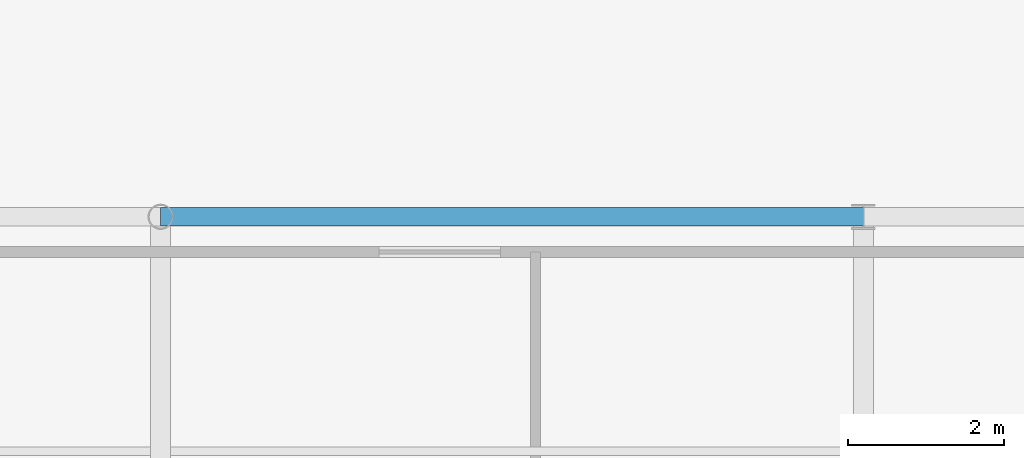
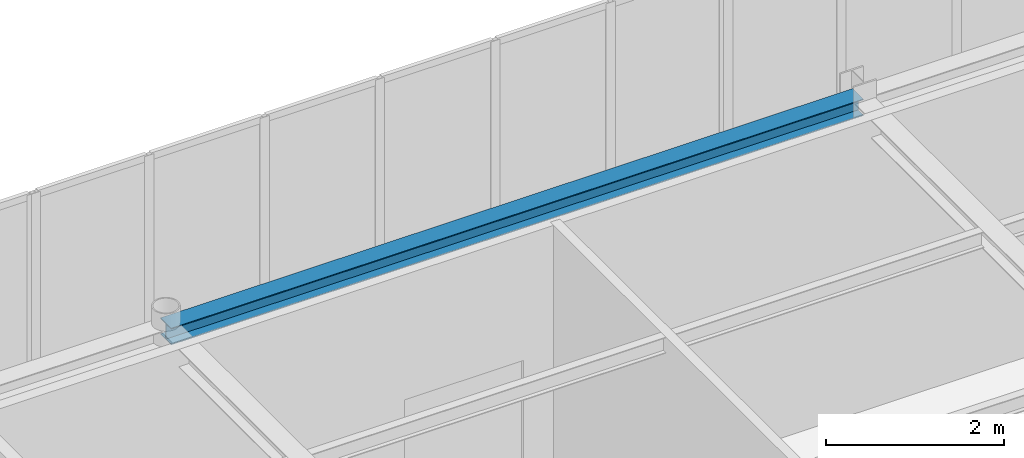
# One storey, part 10 of 36: 1 beam.
"""IFC4 building model written with IfcOpenShell, lengths in metres."""

from ifc_helpers import new_model, si_unit, direction, frame, origin, origin_2d, place, context, subcontext, project, spatial, i_section, extrude, material, material_profile, profile_set, type_object, element, save


model = new_model("IFC4")

# Units and contexts
model_context = context("Model", 3, precision=1e-05, world=origin(), true_north=direction((0.0, 1.0)))
body_context = subcontext(model_context, "Body", "Model", "MODEL_VIEW")
ifc_project = project(units=[si_unit("LENGTHUNIT", "METRE"), si_unit("AREAUNIT", "SQUARE_METRE"), si_unit("VOLUMEUNIT", "CUBIC_METRE"), si_unit("PLANEANGLEUNIT", "RADIAN"), si_unit("MASSUNIT", "GRAM", prefix="KILO")], contexts=[model_context])

# Site, building, storey
site_placement = place(None, origin())
site = spatial("IfcSite", under=ifc_project, at=site_placement, CompositionType="ELEMENT")
building_placement = place(site_placement, origin())
building = spatial("IfcBuilding", under=site, at=building_placement, Name="Lykobir Media Centre", CompositionType="ELEMENT")
storey_placement = place(building_placement, frame((0.0, 0.0, 27.60009765625)))
storey = spatial("IfcBuildingStorey", under=building, at=storey_placement, Name="L06", CompositionType="ELEMENT", Elevation=27.60009765625)

# Beam
ifc_material = material(Name="Steel S355", Category="steel")
ifc_material_profile = material_profile(ifc_material, i_section(OverallWidth=0.239990234375, OverallDepth=0.22998046875, WebThickness=0.007568359375, FlangeThickness=0.011962890625, at=origin_2d()), Name="HEA 240")
ifc_profile_set = profile_set([ifc_material_profile], Name="Steel S355")
beam_type = type_object("IfcBeamType", Name="SP-HEA240", PredefinedType="SPANDREL", material=ifc_profile_set)
beam_placement = place(storey_placement, frame((45.0, 18.0, 3.844970703125), z_axis=(1.0, 0.0, 0.0), x_axis=(0.0, 1.0, 0.0)))
element("IfcBeam", 1, at=beam_placement, inside=storey, type_object=beam_type, Name="Beam BM-L06-0450-0180-0540-0180-3144", PredefinedType="SPANDREL", context=body_context, shape_type="SweptSolid", body=[
    extrude(i_section(OverallWidth=0.239990234375, OverallDepth=0.22998046875, WebThickness=0.007568359375, FlangeThickness=0.011962890625, at=origin_2d()), origin(), (0.0, 0.0, 1.0), 9.0),
])

save(model, "model.ifc")
